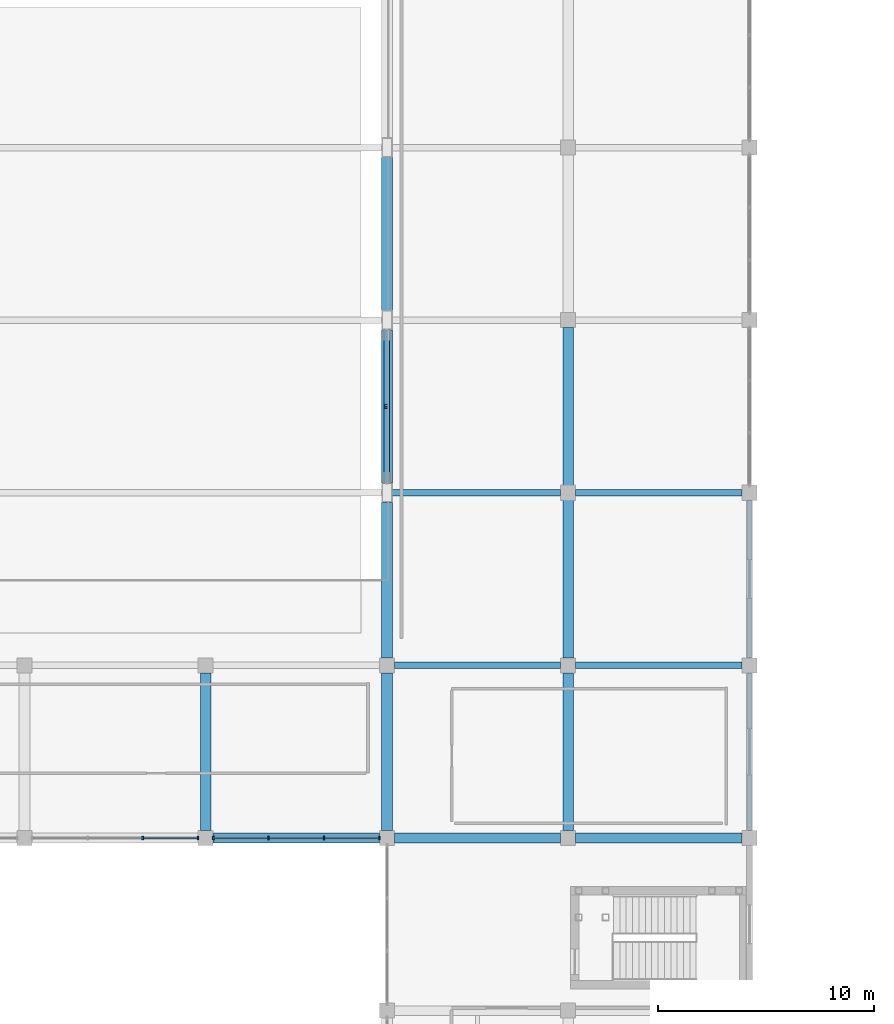
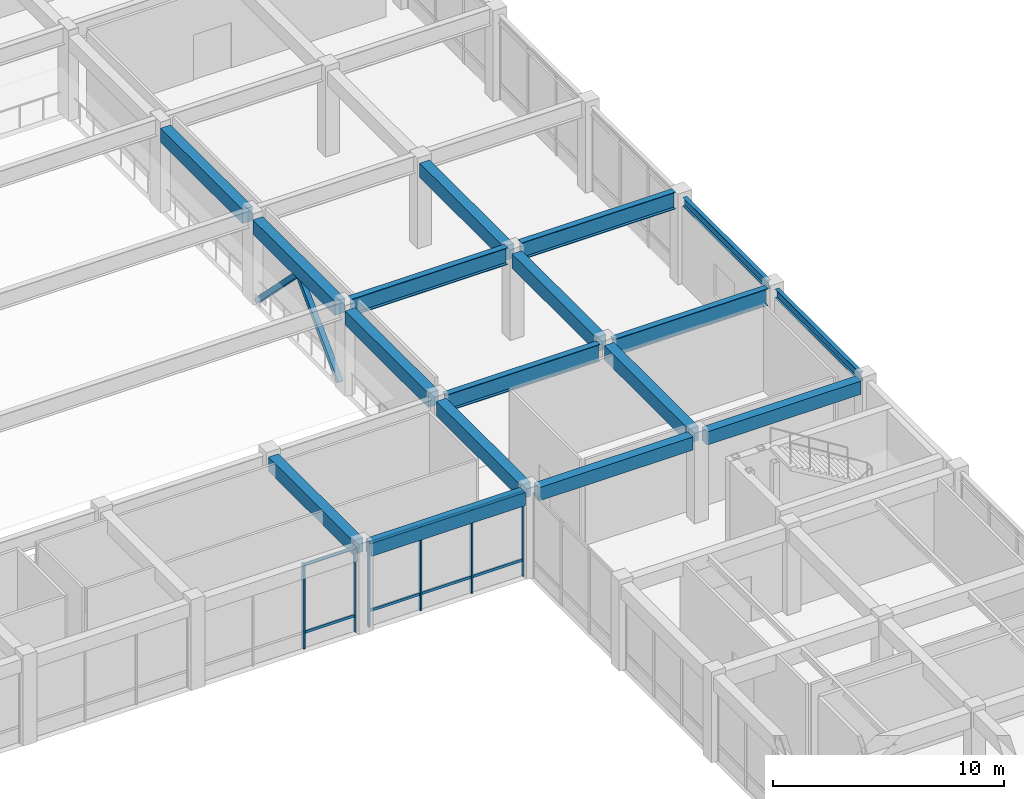
# One storey, part 36 of 76: 17 beams, 16 members, 2 elements without a shape of their own.
"""IFC4 building model written with IfcOpenShell, lengths in metres."""

from ifc_helpers import new_model, si_unit, direction, frame, origin, origin_2d, place, context, subcontext, project, spatial, rectangle, hollow_rectangle, i_section, extrude, material, layer, layer_set, material_profile, profile_set, type_object, element, aggregate, save


model = new_model("IFC4")

# Units and contexts
model_context = context("Model", 3, precision=1e-05, world=origin(), true_north=direction((0.0, 1.0)))
body_context = subcontext(model_context, "Body", "Model", "MODEL_VIEW")
ifc_project = project(units=[si_unit("LENGTHUNIT", "METRE"), si_unit("AREAUNIT", "SQUARE_METRE"), si_unit("VOLUMEUNIT", "CUBIC_METRE"), si_unit("PLANEANGLEUNIT", "RADIAN"), si_unit("MASSUNIT", "GRAM", prefix="KILO")], contexts=[model_context])

# Site, building, storey
site_placement = place(None, origin())
site = spatial("IfcSite", under=ifc_project, at=site_placement, CompositionType="ELEMENT")
building_placement = place(site_placement, origin())
building = spatial("IfcBuilding", under=site, at=building_placement, Name="Naruveol Harbour Congress Hotel", CompositionType="ELEMENT")
storey_placement = place(building_placement, frame((0.0, 0.0, 11.39990234375)))
storey = spatial("IfcBuildingStorey", under=building, at=storey_placement, Name="L02", CompositionType="ELEMENT", Elevation=11.39990234375)

# Beams
ifc_material_1 = material(Name="Concrete C40/50", Category="concrete")
ifc_material_profile_1 = material_profile(ifc_material_1, rectangle(XDim=0.5, YDim=0.75, at=origin_2d()), Name="RCB-500x750")
ifc_profile_set_1 = profile_set([ifc_material_profile_1], Name="Concrete C40/50")
beam_type_1 = type_object("IfcBeamType", Name="RC FLOOR GIRDER 500X750", PredefinedType="BEAM", material=ifc_profile_set_1)
for number, where, z_axis, x_axis, name in (
    (1, (100.800048828125, 64.345947265625, 4.1650390625), (0.0, 1.0, 0.0), (-1.0, 0.0, 0.0), "Transverse girder L03 CB3"),
    (2, (109.199951171875, 64.345947265625, 4.1650390625), (0.0, 1.0, 0.0), (-1.0, 0.0, 0.0), "Transverse girder L03 CB3"),
):
    element("IfcBeam", number, at=place(storey_placement, frame(where, z_axis=z_axis, x_axis=x_axis)), inside=storey, type_object=beam_type_1, Name=name, PredefinedType="BEAM", context=body_context, shape_type="SweptSolid", body=[
        extrude(rectangle(XDim=0.5, YDim=0.75, at=origin_2d()), origin(), (0.0, 0.0, 1.0), 7.30810546875),
    ])
beam_1_placement = place(storey_placement, frame((109.199951171875, 72.345947265625, 4.1650390625), z_axis=(0.0, 1.0, 0.0), x_axis=(-1.0, 0.0, 0.0)))
element("IfcBeam", 3, at=beam_1_placement, inside=storey, type_object=beam_type_1, Name="Transverse girder L03 CB3", PredefinedType="BEAM", context=body_context, shape_type="SweptSolid", body=[
    extrude(rectangle(XDim=0.5, YDim=0.75, at=origin_2d()), origin(), (0.0, 0.0, 1.0), 7.2080078125),
])
for number, where, z_axis, x_axis, name in (
    (4, (109.199951171875, 80.446044921875, 4.125), (0.0, 1.0, 0.0), (-1.0, 0.0, 0.0), "Transverse girder L03 CB3"),
    (5, (109.199951171875, 88.446044921875, 4.125), (0.0, 1.0, 0.0), (-1.0, 0.0, 0.0), "Transverse girder L03 CB3"),
):
    element("IfcBeam", number, at=place(storey_placement, frame(where, z_axis=z_axis, x_axis=x_axis)), inside=storey, type_object=beam_type_1, Name=name, PredefinedType="BEAM", context=body_context, shape_type="SweptSolid", body=[
        extrude(rectangle(XDim=0.5, YDim=0.75, at=origin_2d()), origin(), (0.0, 0.0, 1.0), 7.10791015625),
    ])
for number, where, z_axis, x_axis, name in (
    (6, (117.60009765625, 64.345947265625, 4.175048828125), (0.0, 1.0, 0.0), (-1.0, 0.0, 0.0), "Transverse girder L03 CB3"),
    (7, (117.60009765625, 72.345947265625, 4.175048828125), (0.0, 1.0, 0.0), (-1.0, 0.0, 0.0), "Transverse girder L03 CB3"),
    (8, (117.60009765625, 80.345947265625, 4.125), (0.0, 1.0, 0.0), (-1.0, 0.0, 0.0), "Transverse girder L03 CB3"),
):
    element("IfcBeam", number, at=place(storey_placement, frame(where, z_axis=z_axis, x_axis=x_axis)), inside=storey, type_object=beam_type_1, Name=name, PredefinedType="BEAM", context=body_context, shape_type="SweptSolid", body=[
        extrude(rectangle(XDim=0.5, YDim=0.75, at=origin_2d()), origin(), (0.0, 0.0, 1.0), 7.30810546875),
    ])
ifc_material_2 = material(Name="Concrete C40/50", Category="concrete")
ifc_material_profile_2 = material_profile(ifc_material_2, rectangle(XDim=0.449951171875, YDim=0.699951171875, at=origin_2d()), Name="RCB-450x700")
ifc_profile_set_2 = profile_set([ifc_material_profile_2], Name="Concrete C40/50")
beam_type_2 = type_object("IfcBeamType", Name="RC SPANDREL BEAM 450X700", PredefinedType="SPANDREL", material=ifc_profile_set_2)
for number, where, z_axis, x_axis, name in (
    (9, (101.14599609375, 64.0, 4.190185546875), (1.0, 0.0, 0.0), (0.0, 1.0, 0.0), "Floor girder L03 SPB1"),
    (10, (109.5458984375, 64.0, 4.190185546875), (1.0, 0.0, 0.0), (0.0, 1.0, 0.0), "Floor girder L03 SPB1"),
    (11, (117.946044921875, 64.0, 4.2001953125), (1.0, 0.0, 0.0), (0.0, 1.0, 0.0), "Floor girder L03 SPB1"),
):
    element("IfcBeam", number, at=place(storey_placement, frame(where, z_axis=z_axis, x_axis=x_axis)), inside=storey, type_object=beam_type_2, Name=name, PredefinedType="SPANDREL", context=body_context, shape_type="SweptSolid", body=[
        extrude(rectangle(XDim=0.449951171875, YDim=0.699951171875, at=origin_2d()), origin(), (0.0, 0.0, 1.0), 7.7080078125),
    ])
ifc_material_3 = material(Name="Steel SN490", Category="steel")
ifc_material_profile_3 = material_profile(ifc_material_3, i_section(OverallWidth=0.300048828125, OverallDepth=0.89990234375, WebThickness=0.01611328125, FlangeThickness=0.028076171875, at=origin_2d()), Name="H-900x300x16x28")
ifc_profile_set_3 = profile_set([ifc_material_profile_3], Name="Steel SN490")
beam_type_3 = type_object("IfcBeamType", Name="STEEL BALLROOM GABLE GIRDER H900", PredefinedType="BEAM", material=ifc_profile_set_3)
for number, where, z_axis, x_axis, name in (
    (12, (109.5458984375, 72.0, 4.090087890625), (1.0, 0.0, 0.0), (0.0, 1.0, 0.0), "Ballroom east gallery tie girder BG1"),
    (13, (117.946044921875, 72.0, 4.090087890625), (1.0, 0.0, 0.0), (0.0, 1.0, 0.0), "Ballroom east bay tie girder BG1"),
):
    element("IfcBeam", number, at=place(storey_placement, frame(where, z_axis=z_axis, x_axis=x_axis)), inside=storey, type_object=beam_type_3, Name=name, PredefinedType="BEAM", context=body_context, shape_type="SweptSolid", body=[
        extrude(i_section(OverallWidth=0.300048828125, OverallDepth=0.89990234375, WebThickness=0.01611328125, FlangeThickness=0.028076171875, at=origin_2d()), origin(), (0.0, 0.0, 1.0), 7.7080078125),
    ])
beam_2_placement = place(storey_placement, frame((109.446044921875, 80.0, 4.35009765625), z_axis=(1.0, 0.0, 0.0), x_axis=(0.0, 1.0, 0.0)))
element("IfcBeam", 14, at=beam_2_placement, inside=storey, type_object=beam_type_3, Name="Ballroom east gallery tie girder BG1", PredefinedType="BEAM", context=body_context, shape_type="SweptSolid", body=[
    extrude(i_section(OverallWidth=0.300048828125, OverallDepth=0.89990234375, WebThickness=0.01611328125, FlangeThickness=0.028076171875, at=origin_2d()), origin(), (0.0, 0.0, 1.0), 7.807861328125),
])
beam_3_placement = place(storey_placement, frame((117.946044921875, 80.0, 4.35009765625), z_axis=(1.0, 0.0, 0.0), x_axis=(0.0, 1.0, 0.0)))
element("IfcBeam", 15, at=beam_3_placement, inside=storey, type_object=beam_type_3, Name="Ballroom east bay tie girder BG1", PredefinedType="BEAM", context=body_context, shape_type="SweptSolid", body=[
    extrude(i_section(OverallWidth=0.300048828125, OverallDepth=0.89990234375, WebThickness=0.01611328125, FlangeThickness=0.028076171875, at=origin_2d()), origin(), (0.0, 0.0, 1.0), 7.7080078125),
])

# Members
ifc_material_4 = material(Name="Steel SN490", Category="steel")
ifc_material_profile_4 = material_profile(ifc_material_4, hollow_rectangle(XDim=0.25, YDim=0.25, WallThickness=0.011962890625, at=origin_2d()), Name="SHS-250x250x12")
ifc_profile_set_4 = profile_set([ifc_material_profile_4], Name="Steel SN490")
member_type_1 = type_object("IfcMemberType", Name="STEEL LATERAL FRAME BRACE SHS250", PredefinedType="BRACE", material=ifc_profile_set_4)
for number, where, z_axis, x_axis, name in (
    (16, (109.199951171875, 80.43994140625, 0.16015625), (0.0, 0.704154996628, 0.710046294775), (-1.0, 0.0, 0.0), "Lateral chevron brace L02 #19A"),
    (17, (109.199951171875, 87.56005859375, 0.16015625), (0.0, -0.704154996628, 0.710046294775), (1.0, 0.0, 0.0), "Lateral chevron brace L02 #19B"),
):
    element("IfcMember", number, at=place(storey_placement, frame(where, z_axis=z_axis, x_axis=x_axis)), inside=storey, type_object=member_type_1, Name=name, PredefinedType="BRACE", context=body_context, shape_type="SweptSolid", body=[
        extrude(hollow_rectangle(XDim=0.25, YDim=0.25, WallThickness=0.011962890625, at=origin_2d()), origin(), (0.0, 0.0, 1.0), 5.055908203125),
    ])

# Beams
ifc_material_5 = material(Name="Steel SN490", Category="steel")
ifc_material_profile_5 = material_profile(ifc_material_5, i_section(OverallWidth=0.199951171875, OverallDepth=0.449951171875, WebThickness=0.009033203125, FlangeThickness=0.013916015625, at=origin_2d()), Name="H-450x200x9x14")
ifc_profile_set_5 = profile_set([ifc_material_profile_5], Name="Steel SN490")
beam_type_4 = type_object("IfcBeamType", Name="STEEL SPANDREL EDGE BEAM H450", PredefinedType="SPANDREL", material=ifc_profile_set_5)
for number, where, z_axis, x_axis, name in (
    (18, (126.0, 64.345947265625, 4.3251953125), (0.0, 1.0, 0.0), (-1.0, 0.0, 0.0), "Transverse girder L03 SPB2"),
    (19, (126.0, 72.345947265625, 4.3251953125), (0.0, 1.0, 0.0), (-1.0, 0.0, 0.0), "Transverse girder L03 SPB2"),
):
    element("IfcBeam", number, at=place(storey_placement, frame(where, z_axis=z_axis, x_axis=x_axis)), inside=storey, type_object=beam_type_4, Name=name, PredefinedType="SPANDREL", context=body_context, shape_type="SweptSolid", body=[
        extrude(i_section(OverallWidth=0.199951171875, OverallDepth=0.449951171875, WebThickness=0.009033203125, FlangeThickness=0.013916015625, at=origin_2d()), origin(), (0.0, 0.0, 1.0), 7.30810546875),
    ])

# Curtain wall, members
ifc_material_6 = material(Name="Low-E Curtain Wall System", Category="glass")
ifc_layer = layer(ifc_material_6, 0.179931640625)
ifc_layer_set = layer_set([ifc_layer], Name="Low-E Curtain Wall System")
curtain_wall_type = type_object("IfcCurtainWallType", Name="UNITISED CURTAIN WALL CW-CTN-41 7700X4500", PredefinedType="USERDEFINED", material=ifc_layer_set)
curtain_wall_1_placement = place(storey_placement, origin())
curtain_wall_1 = element("IfcCurtainWall", 20, at=curtain_wall_1_placement, inside=storey, type_object=curtain_wall_type, Name="Unitised curtain wall CW-CTN-41 L02", ObjectType="UNITISED GLAZING", PredefinedType="USERDEFINED")
ifc_material_7 = material(Name="Anodised Aluminium 6063-T6", Category="aluminium")
ifc_material_profile_6 = material_profile(ifc_material_7, rectangle(XDim=0.074951171875, YDim=0.179931640625, at=origin_2d()), Name="ALU-75x180")
ifc_profile_set_6 = profile_set([ifc_material_profile_6], Name="Anodised Aluminium 6063-T6")
member_type_2 = type_object("IfcMemberType", Name="THERMAL ALUMINIUM MULLION 75X180", PredefinedType="MULLION", material=ifc_profile_set_6)
member_1_placement = place(storey_placement, frame((100.449951171875, 64.0, 0.0), z_axis=(0.0, 0.0, 1.0), x_axis=(1.0, 0.0, 0.0)))
member_1 = element("IfcMember", 21, at=member_1_placement, type_object=member_type_2, Name="Curtain wall mullion CW-L02-0110-M0", PredefinedType="MULLION", context=body_context, shape_type="SweptSolid", body=[
    extrude(rectangle(XDim=0.074951171875, YDim=0.179931640625, at=origin_2d()), origin(), (0.0, 0.0, 1.0), 4.5),
])
member_2_placement = place(storey_placement, frame((97.88330078125, 64.0, 0.0), z_axis=(0.0, 0.0, 1.0), x_axis=(1.0, 0.0, 0.0)))
member_2 = element("IfcMember", 22, at=member_2_placement, type_object=member_type_2, Name="Curtain wall mullion CW-L02-0110-M1", PredefinedType="MULLION", context=body_context, shape_type="SweptSolid", body=[
    extrude(rectangle(XDim=0.074951171875, YDim=0.179931640625, at=origin_2d()), origin(), (0.0, 0.0, 1.0), 4.5),
])

curtain_wall_2_placement = place(storey_placement, origin())
curtain_wall_2 = element("IfcCurtainWall", 23, at=curtain_wall_2_placement, inside=storey, type_object=curtain_wall_type, Name="Unitised curtain wall CW-CTN-41 L02", ObjectType="UNITISED GLAZING", PredefinedType="USERDEFINED")
member_3_placement = place(storey_placement, frame((108.85009765625, 64.0, 0.0), z_axis=(0.0, 0.0, 1.0), x_axis=(1.0, 0.0, 0.0)))
member_3 = element("IfcMember", 24, at=member_3_placement, type_object=member_type_2, Name="Curtain wall mullion CW-L02-0112-M0", PredefinedType="MULLION", context=body_context, shape_type="SweptSolid", body=[
    extrude(rectangle(XDim=0.074951171875, YDim=0.179931640625, at=origin_2d()), origin(), (0.0, 0.0, 1.0), 4.5),
])
member_4_placement = place(storey_placement, frame((106.283203125, 64.0, 0.0), z_axis=(0.0, 0.0, 1.0), x_axis=(1.0, 0.0, 0.0)))
member_4 = element("IfcMember", 25, at=member_4_placement, type_object=member_type_2, Name="Curtain wall mullion CW-L02-0112-M1", PredefinedType="MULLION", context=body_context, shape_type="SweptSolid", body=[
    extrude(rectangle(XDim=0.074951171875, YDim=0.179931640625, at=origin_2d()), origin(), (0.0, 0.0, 1.0), 4.5),
])
member_5_placement = place(storey_placement, frame((103.716796875, 64.0, 0.0), z_axis=(0.0, 0.0, 1.0), x_axis=(1.0, 0.0, 0.0)))
member_5 = element("IfcMember", 26, at=member_5_placement, type_object=member_type_2, Name="Curtain wall mullion CW-L02-0112-M2", PredefinedType="MULLION", context=body_context, shape_type="SweptSolid", body=[
    extrude(rectangle(XDim=0.074951171875, YDim=0.179931640625, at=origin_2d()), origin(), (0.0, 0.0, 1.0), 4.5),
])
member_6_placement = place(storey_placement, frame((101.14990234375, 64.0, 0.0), z_axis=(0.0, 0.0, 1.0), x_axis=(1.0, 0.0, 0.0)))
member_6 = element("IfcMember", 27, at=member_6_placement, type_object=member_type_2, Name="Curtain wall mullion CW-L02-0112-M3", PredefinedType="MULLION", context=body_context, shape_type="SweptSolid", body=[
    extrude(rectangle(XDim=0.074951171875, YDim=0.179931640625, at=origin_2d()), origin(), (0.0, 0.0, 1.0), 4.5),
])

# Member
ifc_material_8 = material(Name="Anodised Aluminium 6063-T6", Category="aluminium")
ifc_material_profile_7 = material_profile(ifc_material_8, rectangle(XDim=0.074951171875, YDim=0.14990234375, at=origin_2d()), Name="ALU-75x150")
ifc_profile_set_7 = profile_set([ifc_material_profile_7], Name="Anodised Aluminium 6063-T6")
member_type_3 = type_object("IfcMemberType", Name="THERMAL ALUMINIUM TRANSOM 75X150", PredefinedType="USERDEFINED", material=ifc_profile_set_7)
member_7_placement = place(storey_placement, frame((100.409912109375, 64.0, 0.85009765625), z_axis=(-1.0, 0.0, 0.0), x_axis=(0.0, -1.0, 0.0)))
member_7 = element("IfcMember", 28, at=member_7_placement, type_object=member_type_3, Name="Curtain wall transom CW-L02-0110-T0.1", ObjectType="TRANSOM", PredefinedType="USERDEFINED", context=body_context, shape_type="SweptSolid", body=[
    extrude(rectangle(XDim=0.074951171875, YDim=0.14990234375, at=origin_2d()), origin(), (0.0, 0.0, 1.0), 2.486572265625),
])

member_8_placement = place(storey_placement, frame((100.409912109375, 64.0, 4.420166015625), z_axis=(-1.0, 0.0, 0.0), x_axis=(0.0, -1.0, 0.0)))
member_8 = element("IfcMember", 29, at=member_8_placement, type_object=member_type_3, Name="Curtain wall transom CW-L02-0110-T0.2", ObjectType="TRANSOM", PredefinedType="USERDEFINED", context=body_context, shape_type="SweptSolid", body=[
    extrude(rectangle(XDim=0.074951171875, YDim=0.14990234375, at=origin_2d()), origin(), (0.0, 0.0, 1.0), 2.486572265625),
])

aggregate(curtain_wall_1, [member_1, member_2, member_7, member_8])

member_9_placement = place(storey_placement, frame((108.81005859375, 64.0, 0.85009765625), z_axis=(-1.0, 0.0, 0.0), x_axis=(0.0, -1.0, 0.0)))
member_9 = element("IfcMember", 30, at=member_9_placement, type_object=member_type_3, Name="Curtain wall transom CW-L02-0112-T0.1", ObjectType="TRANSOM", PredefinedType="USERDEFINED", context=body_context, shape_type="SweptSolid", body=[
    extrude(rectangle(XDim=0.074951171875, YDim=0.14990234375, at=origin_2d()), origin(), (0.0, 0.0, 1.0), 2.48681640625),
])

member_10_placement = place(storey_placement, frame((108.81005859375, 64.0, 4.420166015625), z_axis=(-1.0, 0.0, 0.0), x_axis=(0.0, -1.0, 0.0)))
member_10 = element("IfcMember", 31, at=member_10_placement, type_object=member_type_3, Name="Curtain wall transom CW-L02-0112-T0.2", ObjectType="TRANSOM", PredefinedType="USERDEFINED", context=body_context, shape_type="SweptSolid", body=[
    extrude(rectangle(XDim=0.074951171875, YDim=0.14990234375, at=origin_2d()), origin(), (0.0, 0.0, 1.0), 2.48681640625),
])

member_11_placement = place(storey_placement, frame((106.243408203125, 64.0, 0.85009765625), z_axis=(-1.0, 0.0, 0.0), x_axis=(0.0, -1.0, 0.0)))
member_11 = element("IfcMember", 32, at=member_11_placement, type_object=member_type_3, Name="Curtain wall transom CW-L02-0112-T1.1", ObjectType="TRANSOM", PredefinedType="USERDEFINED", context=body_context, shape_type="SweptSolid", body=[
    extrude(rectangle(XDim=0.074951171875, YDim=0.14990234375, at=origin_2d()), origin(), (0.0, 0.0, 1.0), 2.48681640625),
])

member_12_placement = place(storey_placement, frame((106.243408203125, 64.0, 4.420166015625), z_axis=(-1.0, 0.0, 0.0), x_axis=(0.0, -1.0, 0.0)))
member_12 = element("IfcMember", 33, at=member_12_placement, type_object=member_type_3, Name="Curtain wall transom CW-L02-0112-T1.2", ObjectType="TRANSOM", PredefinedType="USERDEFINED", context=body_context, shape_type="SweptSolid", body=[
    extrude(rectangle(XDim=0.074951171875, YDim=0.14990234375, at=origin_2d()), origin(), (0.0, 0.0, 1.0), 2.48681640625),
])

member_13_placement = place(storey_placement, frame((103.6767578125, 64.0, 0.85009765625), z_axis=(-1.0, 0.0, 0.0), x_axis=(0.0, -1.0, 0.0)))
member_13 = element("IfcMember", 34, at=member_13_placement, type_object=member_type_3, Name="Curtain wall transom CW-L02-0112-T2.1", ObjectType="TRANSOM", PredefinedType="USERDEFINED", context=body_context, shape_type="SweptSolid", body=[
    extrude(rectangle(XDim=0.074951171875, YDim=0.14990234375, at=origin_2d()), origin(), (0.0, 0.0, 1.0), 2.48681640625),
])

member_14_placement = place(storey_placement, frame((103.6767578125, 64.0, 4.420166015625), z_axis=(-1.0, 0.0, 0.0), x_axis=(0.0, -1.0, 0.0)))
member_14 = element("IfcMember", 35, at=member_14_placement, type_object=member_type_3, Name="Curtain wall transom CW-L02-0112-T2.2", ObjectType="TRANSOM", PredefinedType="USERDEFINED", context=body_context, shape_type="SweptSolid", body=[
    extrude(rectangle(XDim=0.074951171875, YDim=0.14990234375, at=origin_2d()), origin(), (0.0, 0.0, 1.0), 2.48681640625),
])

aggregate(curtain_wall_2, [member_3, member_4, member_5, member_6, member_9, member_10, member_11, member_12, member_13, member_14])

save(model, "model.ifc")
